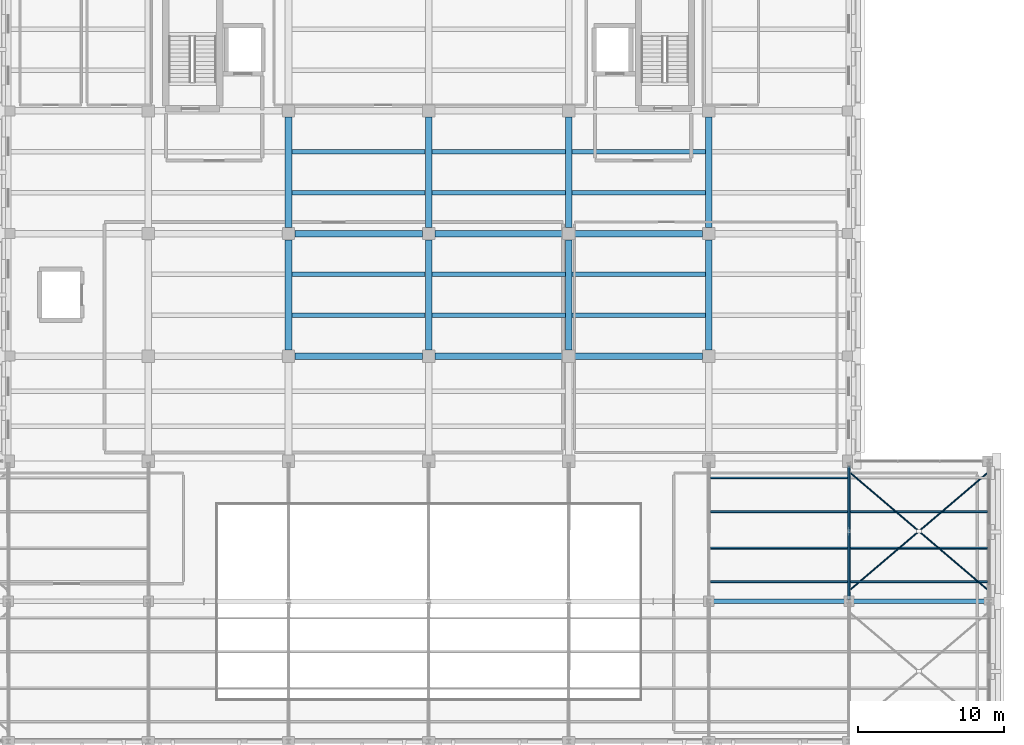
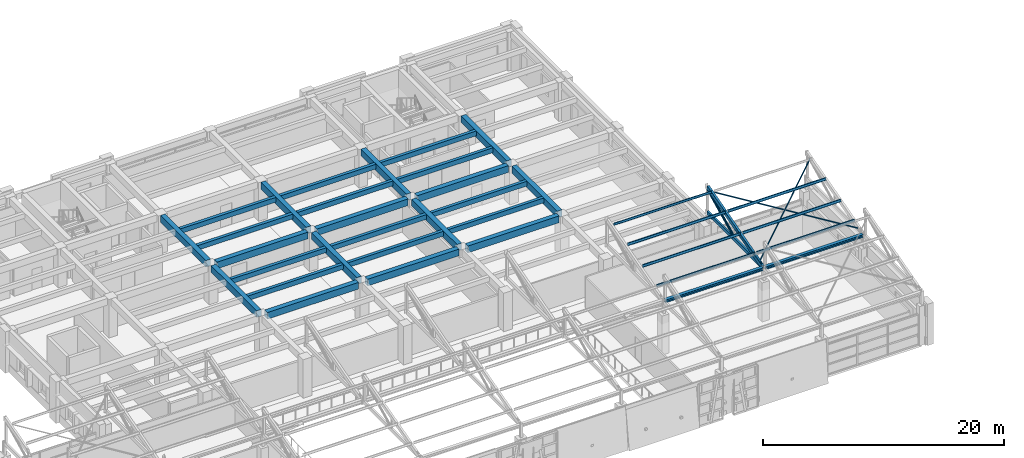
# One storey, part 24 of 58: 28 beams, 14 members.
"""IFC4 building model written with IfcOpenShell, lengths in metres."""

from ifc_helpers import new_model, si_unit, direction, frame, origin, origin_2d, place, context, subcontext, project, spatial, rectangle, hollow_rectangle, hollow_circle, i_section, extrude, material, material_profile, profile_set, type_object, element, save


model = new_model("IFC4")

# Units and contexts
model_context = context("Model", 3, precision=1e-05, world=origin(), true_north=direction((0.0, 1.0)))
body_context = subcontext(model_context, "Body", "Model", "MODEL_VIEW")
ifc_project = project(units=[si_unit("LENGTHUNIT", "METRE"), si_unit("AREAUNIT", "SQUARE_METRE"), si_unit("VOLUMEUNIT", "CUBIC_METRE"), si_unit("PLANEANGLEUNIT", "RADIAN"), si_unit("MASSUNIT", "GRAM", prefix="KILO")], contexts=[model_context])

# Site, building, storey
site_placement = place(None, origin())
site = spatial("IfcSite", under=ifc_project, at=site_placement, CompositionType="ELEMENT")
building_placement = place(site_placement, origin())
building = spatial("IfcBuilding", under=site, at=building_placement, Name="Bempovik Park Faculty of Sciences", CompositionType="ELEMENT")
storey_placement = place(building_placement, frame((0.0, 0.0, 18.300048828125)))
storey = spatial("IfcBuildingStorey", under=building, at=storey_placement, Name="L04", CompositionType="ELEMENT", Elevation=18.300048828125)

# Beams
ifc_material_1 = material(Name="Concrete C35/45", Category="concrete")
ifc_material_profile_1 = material_profile(ifc_material_1, rectangle(XDim=0.300048828125, YDim=0.47998046875, at=origin_2d()), Name="RC 300x480")
ifc_profile_set_1 = profile_set([ifc_material_profile_1], Name="Concrete C35/45")
beam_type_1 = type_object("IfcBeamType", Name="B-039 RC 300x480", PredefinedType="JOIST", material=ifc_profile_set_1)
for number, where, z_axis, x_axis, name in (
    (1, (79.430908203125, 97.0, 3.659912109375), (1.0, 0.0, 0.0), (0.0, 1.0, 0.0), "L04 Secondary Joist (79.2-88.8, y=97.00)"),
    (2, (79.430908203125, 99.800048828125, 3.659912109375), (1.0, 0.0, 0.0), (0.0, 1.0, 0.0), "L04 Secondary Joist (79.2-88.8, y=99.80)"),
    (3, (79.430908203125, 105.39990234375, 3.659912109375), (1.0, 0.0, 0.0), (0.0, 1.0, 0.0), "L04 Secondary Joist (79.2-88.8, y=105.40)"),
    (4, (79.430908203125, 108.199951171875, 3.659912109375), (1.0, 0.0, 0.0), (0.0, 1.0, 0.0), "L04 Secondary Joist (79.2-88.8, y=108.20)"),
):
    element("IfcBeam", number, at=place(storey_placement, frame(where, z_axis=z_axis, x_axis=x_axis)), inside=storey, type_object=beam_type_1, Name=name, PredefinedType="JOIST", context=body_context, shape_type="SweptSolid", body=[
        extrude(rectangle(XDim=0.300048828125, YDim=0.47998046875, at=origin_2d()), origin(), (0.0, 0.0, 1.0), 9.13818359375),
    ])
for number, where, z_axis, x_axis, name in (
    (5, (89.031005859375, 97.0, 3.659912109375), (1.0, 0.0, 0.0), (0.0, 1.0, 0.0), "L04 Secondary Joist (88.8-98.4, y=97.00)"),
    (6, (89.031005859375, 99.800048828125, 3.659912109375), (1.0, 0.0, 0.0), (0.0, 1.0, 0.0), "L04 Secondary Joist (88.8-98.4, y=99.80)"),
    (7, (89.031005859375, 105.39990234375, 3.659912109375), (1.0, 0.0, 0.0), (0.0, 1.0, 0.0), "L04 Secondary Joist (88.8-98.4, y=105.40)"),
    (8, (89.031005859375, 108.199951171875, 3.659912109375), (1.0, 0.0, 0.0), (0.0, 1.0, 0.0), "L04 Secondary Joist (88.8-98.4, y=108.20)"),
    (9, (98.631103515625, 97.0, 3.659912109375), (1.0, 0.0, 0.0), (0.0, 1.0, 0.0), "L04 Secondary Joist (98.4-108.0, y=97.00)"),
    (10, (98.631103515625, 99.800048828125, 3.659912109375), (1.0, 0.0, 0.0), (0.0, 1.0, 0.0), "L04 Secondary Joist (98.4-108.0, y=99.80)"),
    (11, (98.631103515625, 105.39990234375, 3.659912109375), (1.0, 0.0, 0.0), (0.0, 1.0, 0.0), "L04 Secondary Joist (98.4-108.0, y=105.40)"),
    (12, (98.631103515625, 108.199951171875, 3.659912109375), (1.0, 0.0, 0.0), (0.0, 1.0, 0.0), "L04 Secondary Joist (98.4-108.0, y=108.20)"),
):
    element("IfcBeam", number, at=place(storey_placement, frame(where, z_axis=z_axis, x_axis=x_axis)), inside=storey, type_object=beam_type_1, Name=name, PredefinedType="JOIST", context=body_context, shape_type="SweptSolid", body=[
        extrude(rectangle(XDim=0.300048828125, YDim=0.47998046875, at=origin_2d()), origin(), (0.0, 0.0, 1.0), 9.137939453125),
    ])
ifc_material_profile_2 = material_profile(ifc_material_1, rectangle(XDim=0.449951171875, YDim=0.679931640625, at=origin_2d()), Name="RC 450x680")
ifc_profile_set_2 = profile_set([ifc_material_profile_2], Name="Concrete C35/45")
beam_type_2 = type_object("IfcBeamType", Name="B-113 RC 450x680", PredefinedType="BEAM", material=ifc_profile_set_2)
beam_1_placement = place(storey_placement, frame((79.631103515625, 94.199951171875, 3.56005859375), z_axis=(1.0, 0.0, 0.0), x_axis=(0.0, 1.0, 0.0)))
element("IfcBeam", 13, at=beam_1_placement, inside=storey, type_object=beam_type_2, Name="L04 Beam X (79.2-88.8, y=94.2)", PredefinedType="BEAM", context=body_context, shape_type="SweptSolid", body=[
    extrude(rectangle(XDim=0.449951171875, YDim=0.679931640625, at=origin_2d()), origin(), (0.0, 0.0, 1.0), 8.73779296875),
])
for number, where, z_axis, x_axis, name in (
    (14, (89.23095703125, 94.199951171875, 3.56005859375), (1.0, 0.0, 0.0), (0.0, 1.0, 0.0), "L04 Beam X (88.8-98.4, y=94.2)"),
    (15, (98.8310546875, 94.199951171875, 3.56005859375), (1.0, 0.0, 0.0), (0.0, 1.0, 0.0), "L04 Beam X (98.4-108.0, y=94.2)"),
):
    element("IfcBeam", number, at=place(storey_placement, frame(where, z_axis=z_axis, x_axis=x_axis)), inside=storey, type_object=beam_type_2, Name=name, PredefinedType="BEAM", context=body_context, shape_type="SweptSolid", body=[
        extrude(rectangle(XDim=0.449951171875, YDim=0.679931640625, at=origin_2d()), origin(), (0.0, 0.0, 1.0), 8.738037109375),
    ])
beam_2_placement = place(storey_placement, frame((79.631103515625, 102.60009765625, 3.56005859375), z_axis=(1.0, 0.0, 0.0), x_axis=(0.0, 1.0, 0.0)))
element("IfcBeam", 16, at=beam_2_placement, inside=storey, type_object=beam_type_2, Name="L04 Beam X (79.2-88.8, y=102.6)", PredefinedType="BEAM", context=body_context, shape_type="SweptSolid", body=[
    extrude(rectangle(XDim=0.449951171875, YDim=0.679931640625, at=origin_2d()), origin(), (0.0, 0.0, 1.0), 8.73779296875),
])
for number, where, z_axis, x_axis, name in (
    (17, (89.23095703125, 102.60009765625, 3.56005859375), (1.0, 0.0, 0.0), (0.0, 1.0, 0.0), "L04 Beam X (88.8-98.4, y=102.6)"),
    (18, (98.8310546875, 102.60009765625, 3.56005859375), (1.0, 0.0, 0.0), (0.0, 1.0, 0.0), "L04 Beam X (98.4-108.0, y=102.6)"),
):
    element("IfcBeam", number, at=place(storey_placement, frame(where, z_axis=z_axis, x_axis=x_axis)), inside=storey, type_object=beam_type_2, Name=name, PredefinedType="BEAM", context=body_context, shape_type="SweptSolid", body=[
        extrude(rectangle(XDim=0.449951171875, YDim=0.679931640625, at=origin_2d()), origin(), (0.0, 0.0, 1.0), 8.738037109375),
    ])
beam_3_placement = place(storey_placement, frame((79.199951171875, 94.631103515625, 3.56005859375), z_axis=(0.0, 1.0, 0.0), x_axis=(-1.0, 0.0, 0.0)))
element("IfcBeam", 19, at=beam_3_placement, inside=storey, type_object=beam_type_2, Name="L04 Beam Y (x=79.2, 94.2-102.6)", PredefinedType="BEAM", context=body_context, shape_type="SweptSolid", body=[
    extrude(rectangle(XDim=0.449951171875, YDim=0.679931640625, at=origin_2d()), origin(), (0.0, 0.0, 1.0), 7.537841796875),
])
beam_4_placement = place(storey_placement, frame((79.199951171875, 103.031005859375, 3.56005859375), z_axis=(0.0, 1.0, 0.0), x_axis=(-1.0, 0.0, 0.0)))
element("IfcBeam", 20, at=beam_4_placement, inside=storey, type_object=beam_type_2, Name="L04 Beam Y (x=79.2, 102.6-111.0)", PredefinedType="BEAM", context=body_context, shape_type="SweptSolid", body=[
    extrude(rectangle(XDim=0.449951171875, YDim=0.679931640625, at=origin_2d()), origin(), (0.0, 0.0, 1.0), 7.5380859375),
])
beam_5_placement = place(storey_placement, frame((88.800048828125, 94.631103515625, 3.56005859375), z_axis=(0.0, 1.0, 0.0), x_axis=(-1.0, 0.0, 0.0)))
element("IfcBeam", 21, at=beam_5_placement, inside=storey, type_object=beam_type_2, Name="L04 Beam Y (x=88.8, 94.2-102.6)", PredefinedType="BEAM", context=body_context, shape_type="SweptSolid", body=[
    extrude(rectangle(XDim=0.449951171875, YDim=0.679931640625, at=origin_2d()), origin(), (0.0, 0.0, 1.0), 7.537841796875),
])
beam_6_placement = place(storey_placement, frame((88.800048828125, 103.031005859375, 3.56005859375), z_axis=(0.0, 1.0, 0.0), x_axis=(-1.0, 0.0, 0.0)))
element("IfcBeam", 22, at=beam_6_placement, inside=storey, type_object=beam_type_2, Name="L04 Beam Y (x=88.8, 102.6-111.0)", PredefinedType="BEAM", context=body_context, shape_type="SweptSolid", body=[
    extrude(rectangle(XDim=0.449951171875, YDim=0.679931640625, at=origin_2d()), origin(), (0.0, 0.0, 1.0), 7.5380859375),
])
beam_7_placement = place(storey_placement, frame((98.39990234375, 94.631103515625, 3.56005859375), z_axis=(0.0, 1.0, 0.0), x_axis=(-1.0, 0.0, 0.0)))
element("IfcBeam", 23, at=beam_7_placement, inside=storey, type_object=beam_type_2, Name="L04 Beam Y (x=98.4, 94.2-102.6)", PredefinedType="BEAM", context=body_context, shape_type="SweptSolid", body=[
    extrude(rectangle(XDim=0.449951171875, YDim=0.679931640625, at=origin_2d()), origin(), (0.0, 0.0, 1.0), 7.537841796875),
])
beam_8_placement = place(storey_placement, frame((98.39990234375, 103.031005859375, 3.56005859375), z_axis=(0.0, 1.0, 0.0), x_axis=(-1.0, 0.0, 0.0)))
element("IfcBeam", 24, at=beam_8_placement, inside=storey, type_object=beam_type_2, Name="L04 Beam Y (x=98.4, 102.6-111.0)", PredefinedType="BEAM", context=body_context, shape_type="SweptSolid", body=[
    extrude(rectangle(XDim=0.449951171875, YDim=0.679931640625, at=origin_2d()), origin(), (0.0, 0.0, 1.0), 7.5380859375),
])
beam_9_placement = place(storey_placement, frame((108.0, 94.631103515625, 3.56005859375), z_axis=(0.0, 1.0, 0.0), x_axis=(-1.0, 0.0, 0.0)))
element("IfcBeam", 25, at=beam_9_placement, inside=storey, type_object=beam_type_2, Name="L04 Beam Y (x=108.0, 94.2-102.6)", PredefinedType="BEAM", context=body_context, shape_type="SweptSolid", body=[
    extrude(rectangle(XDim=0.449951171875, YDim=0.679931640625, at=origin_2d()), origin(), (0.0, 0.0, 1.0), 7.537841796875),
])
beam_10_placement = place(storey_placement, frame((108.0, 103.031005859375, 3.56005859375), z_axis=(0.0, 1.0, 0.0), x_axis=(-1.0, 0.0, 0.0)))
element("IfcBeam", 26, at=beam_10_placement, inside=storey, type_object=beam_type_2, Name="L04 Beam Y (x=108.0, 102.6-111.0)", PredefinedType="BEAM", context=body_context, shape_type="SweptSolid", body=[
    extrude(rectangle(XDim=0.449951171875, YDim=0.679931640625, at=origin_2d()), origin(), (0.0, 0.0, 1.0), 7.5380859375),
])
ifc_material_2 = material(Name="Steel S355", Category="steel")
ifc_material_profile_3 = material_profile(ifc_material_2, i_section(OverallWidth=0.300048828125, OverallDepth=0.2900390625, WebThickness=0.008544921875, FlangeThickness=0.013916015625, at=origin_2d()), Name="HEA 300")
ifc_profile_set_3 = profile_set([ifc_material_profile_3], Name="Steel S355")
beam_type_3 = type_object("IfcBeamType", Name="B-131 HEA 300", PredefinedType="BEAM", material=ifc_profile_set_3)
for number, where, z_axis, x_axis, name in (
    (27, (108.1298828125, 77.39990234375, 5.179931640625), (1.0, 0.0, 0.0), (0.0, 1.0, 0.0), "Sawtooth Valley Tie Beam V2-B2 (108.0-117.6)"),
    (28, (117.72998046875, 77.39990234375, 5.179931640625), (1.0, 0.0, 0.0), (0.0, 1.0, 0.0), "Sawtooth Valley Tie Beam V2-B2 (117.6-127.2)"),
):
    element("IfcBeam", number, at=place(storey_placement, frame(where, z_axis=z_axis, x_axis=x_axis)), inside=storey, type_object=beam_type_3, Name=name, PredefinedType="BEAM", context=body_context, shape_type="SweptSolid", body=[
        extrude(i_section(OverallWidth=0.300048828125, OverallDepth=0.2900390625, WebThickness=0.008544921875, FlangeThickness=0.013916015625, at=origin_2d()), origin(), (0.0, 0.0, 1.0), 9.340087890625),
    ])

# Members
ifc_material_profile_4 = material_profile(ifc_material_2, hollow_rectangle(XDim=0.175048828125, YDim=0.35009765625, WallThickness=0.012451171875, at=origin_2d()), Name="RHS 350x175x12.5")
ifc_profile_set_4 = profile_set([ifc_material_profile_4], Name="Steel S355")
member_type_1 = type_object("IfcMemberType", Name="M-15 RHS 350x175x12.5", PredefinedType="CHORD", material=ifc_profile_set_4)
member_1_placement = place(storey_placement, frame((117.60009765625, 77.535888671875, 5.179931640625), z_axis=(0.0, 1.0, 0.0), x_axis=(-1.0, 0.0, 0.0)))
element("IfcMember", 29, at=member_1_placement, inside=storey, type_object=member_type_1, Name="Sawtooth Bottom Chord V2-B2 (117.6)", PredefinedType="CHORD", context=body_context, shape_type="SweptSolid", body=[
    extrude(hollow_rectangle(XDim=0.175048828125, YDim=0.35009765625, WallThickness=0.012451171875, at=origin_2d()), origin(), (0.0, 0.0, 1.0), 9.108154296875),
])
ifc_material_profile_5 = material_profile(ifc_material_2, i_section(OverallWidth=0.110107421875, OverallDepth=0.219970703125, WebThickness=0.005859375, FlangeThickness=0.00927734375, at=origin_2d()), Name="IPE 220")
ifc_profile_set_5 = profile_set([ifc_material_profile_5], Name="Steel S355")
member_type_2 = type_object("IfcMemberType", Name="M-18 IPE 220", PredefinedType="PURLIN", material=ifc_profile_set_5)
for number, where, z_axis, x_axis, name in (
    (30, (108.10595703125, 78.743896484375, 5.87744140625), (1.0, 0.0, 0.0), (0.0, 0.965925826289, -0.258819045103), "Sawtooth Roof Purlin V2-B2 (108.0-117.6) #1"),
    (31, (117.7060546875, 78.743896484375, 5.87744140625), (1.0, 0.0, 0.0), (0.0, 0.965925826289, -0.258819045103), "Sawtooth Roof Purlin V2-B2 (117.6-127.2) #1"),
):
    element("IfcMember", number, at=place(storey_placement, frame(where, z_axis=z_axis, x_axis=x_axis)), inside=storey, type_object=member_type_2, Name=name, PredefinedType="PURLIN", context=body_context, shape_type="SweptSolid", body=[
        extrude(i_section(OverallWidth=0.110107421875, OverallDepth=0.219970703125, WebThickness=0.005859375, FlangeThickness=0.00927734375, at=origin_2d()), origin(), (0.0, 0.0, 1.0), 9.387939453125),
    ])
ifc_material_profile_6 = material_profile(ifc_material_2, hollow_circle(Radius=0.109619140625, WallThickness=0.010009765625, at=origin_2d()), Name="CHS 219.1x10")
ifc_profile_set_6 = profile_set([ifc_material_profile_6], Name="Steel S355")
member_type_3 = type_object("IfcMemberType", Name="M-22 CHS 219.1x10", PredefinedType="BRACE", material=ifc_profile_set_6)
member_2_placement = place(storey_placement, frame((117.60009765625, 82.304931640625, 5.36083984375), z_axis=(0.0, 0.896782958268, 0.442470706105), x_axis=(-1.0, 0.0, 0.0)))
element("IfcMember", 32, at=member_2_placement, inside=storey, type_object=member_type_3, Name="Sawtooth Web Diagonal 2 V2-B2 (117.6)", PredefinedType="BRACE", context=body_context, shape_type="SweptSolid", body=[
    extrude(hollow_circle(Radius=0.109619140625, WallThickness=0.010009765625, at=origin_2d()), origin(), (0.0, 0.0, 1.0), 4.844970703125),
])
ifc_material_profile_7 = material_profile(ifc_material_2, i_section(OverallWidth=0.10009765625, OverallDepth=0.199951171875, WebThickness=0.005615234375, FlangeThickness=0.008544921875, at=origin_2d()), Name="IPE 200")
ifc_profile_set_7 = profile_set([ifc_material_profile_7], Name="Steel S355")
member_type_4 = type_object("IfcMemberType", Name="M-48 IPE 200", PredefinedType="PURLIN", material=ifc_profile_set_7)
member_3_placement = place(storey_placement, frame((108.10595703125, 85.847900390625, 7.790771484375), z_axis=(1.0, 0.0, 0.0), x_axis=(0.0, 0.965925826289, -0.258819045103)))
element("IfcMember", 33, at=member_3_placement, inside=storey, type_object=member_type_4, Name="Sawtooth Roof Purlin V2-B2 (108.0-117.6) #4", PredefinedType="PURLIN", context=body_context, shape_type="SweptSolid", body=[
    extrude(i_section(OverallWidth=0.10009765625, OverallDepth=0.199951171875, WebThickness=0.005615234375, FlangeThickness=0.008544921875, at=origin_2d()), origin(), (0.0, 0.0, 1.0), 9.387939453125),
])
ifc_material_profile_8 = material_profile(ifc_material_2, hollow_rectangle(XDim=0.199951171875, YDim=0.39990234375, WallThickness=0.01611328125, at=origin_2d()), Name="RHS 400x200x16")
ifc_profile_set_8 = profile_set([ifc_material_profile_8], Name="Steel S355")
member_type_5 = type_object("IfcMemberType", Name="M-53 RHS 400x200x16", PredefinedType="CHORD", material=ifc_profile_set_8)
member_4_placement = place(storey_placement, frame((117.60009765625, 77.535888671875, 5.182373046875), z_axis=(0.0, 0.962358551533, 0.271783035327), x_axis=(-1.0, 0.0, 0.0)))
element("IfcMember", 34, at=member_4_placement, inside=storey, type_object=member_type_5, Name="Sawtooth Top Rafter Chord V2-B2 (117.6)", PredefinedType="CHORD", context=body_context, shape_type="SweptSolid", body=[
    extrude(hollow_rectangle(XDim=0.199951171875, YDim=0.39990234375, WallThickness=0.01611328125, at=origin_2d()), origin(), (0.0, 0.0, 1.0), 9.46435546875),
])
ifc_material_profile_9 = material_profile(ifc_material_2, hollow_circle(Radius=0.05712890625, WallThickness=0.00634765625, at=origin_2d()), Name="CHS 114.3x6.3")
ifc_profile_set_9 = profile_set([ifc_material_profile_9], Name="Steel S355")
member_type_6 = type_object("IfcMemberType", Name="M-72 CHS 114.3x6.3", PredefinedType="BRACE", material=ifc_profile_set_9)
member_5_placement = place(storey_placement, frame((117.699951171875, 78.199951171875, 5.396728515625), z_axis=(0.750314731652, 0.638555778167, 0.17109740394), x_axis=(-0.648112772192, 0.761544374624, 0.0)))
element("IfcMember", 35, at=member_5_placement, inside=storey, type_object=member_type_6, Name="Sawtooth Continuous Roof X-Brace V2-B2 (117.6-127.2)", PredefinedType="BRACE", context=body_context, shape_type="SweptSolid", body=[
    extrude(hollow_circle(Radius=0.05712890625, WallThickness=0.00634765625, at=origin_2d()), origin(), (0.0, 0.0, 1.0), 12.5283203125),
])
member_6_placement = place(storey_placement, frame((117.699951171875, 86.199951171875, 7.540283203125), z_axis=(0.750327438995, -0.638539524895, -0.171102336154), x_axis=(0.648096839088, 0.761557934214, 0.0)))
element("IfcMember", 36, at=member_6_placement, inside=storey, type_object=member_type_6, Name="Sawtooth Split X-Brace Half A V2-B2 (117.6-127.2)", PredefinedType="BRACE", context=body_context, shape_type="SweptSolid", body=[
    extrude(hollow_circle(Radius=0.05712890625, WallThickness=0.00634765625, at=origin_2d()), origin(), (0.0, 0.0, 1.0), 6.174072265625),
])
member_7_placement = place(storey_placement, frame((122.467529296875, 82.142578125, 6.453125), z_axis=(0.750308493557, -0.638562944003, -0.171098015896), x_axis=(0.648120115182, 0.761538125307, 0.0)))
element("IfcMember", 37, at=member_7_placement, inside=storey, type_object=member_type_6, Name="Sawtooth Split X-Brace Half B V2-B2 (117.6-127.2)", PredefinedType="BRACE", context=body_context, shape_type="SweptSolid", body=[
    extrude(hollow_circle(Radius=0.05712890625, WallThickness=0.00634765625, at=origin_2d()), origin(), (0.0, 0.0, 1.0), 6.17431640625),
])
ifc_material_profile_10 = material_profile(ifc_material_2, hollow_circle(Radius=0.096923828125, WallThickness=0.008056640625, at=origin_2d()), Name="CHS 193.7x8")
ifc_profile_set_10 = profile_set([ifc_material_profile_10], Name="Steel S355")
member_type_7 = type_object("IfcMemberType", Name="M-74 CHS 193.7x8", PredefinedType="BRACE", material=ifc_profile_set_10)
member_8_placement = place(storey_placement, frame((117.60009765625, 77.7099609375, 5.36083984375), z_axis=(0.0, 0.980118341504, 0.198413801554), x_axis=(-1.0, 0.0, 0.0)))
element("IfcMember", 38, at=member_8_placement, inside=storey, type_object=member_type_7, Name="Sawtooth Web Diagonal 1 V2-B2 (117.6)", PredefinedType="BRACE", context=body_context, shape_type="SweptSolid", body=[
    extrude(hollow_circle(Radius=0.096923828125, WallThickness=0.008056640625, at=origin_2d()), origin(), (0.0, 0.0, 1.0), 4.473876953125),
])
ifc_material_profile_11 = material_profile(ifc_material_2, i_section(OverallWidth=0.1201171875, OverallDepth=0.239990234375, WebThickness=0.006103515625, FlangeThickness=0.009765625, at=origin_2d()), Name="IPE 240")
ifc_profile_set_11 = profile_set([ifc_material_profile_11], Name="Steel S355")
member_type_8 = type_object("IfcMemberType", Name="M-86 IPE 240", PredefinedType="PURLIN", material=ifc_profile_set_11)
for number, where, z_axis, x_axis, name in (
    (39, (108.10595703125, 81.048095703125, 6.48486328125), (1.0, 0.0, 0.0), (0.0, 0.965925826289, -0.258819045103), "Sawtooth Roof Purlin V2-B2 (108.0-117.6) #2"),
    (40, (108.10595703125, 83.5439453125, 7.153564453125), (1.0, 0.0, 0.0), (0.0, 0.965925826289, -0.258819045103), "Sawtooth Roof Purlin V2-B2 (108.0-117.6) #3"),
    (41, (117.7060546875, 81.048095703125, 6.48486328125), (1.0, 0.0, 0.0), (0.0, 0.965925826289, -0.258819045103), "Sawtooth Roof Purlin V2-B2 (117.6-127.2) #2"),
    (42, (117.7060546875, 83.5439453125, 7.153564453125), (1.0, 0.0, 0.0), (0.0, 0.965925826289, -0.258819045103), "Sawtooth Roof Purlin V2-B2 (117.6-127.2) #3"),
):
    element("IfcMember", number, at=place(storey_placement, frame(where, z_axis=z_axis, x_axis=x_axis)), inside=storey, type_object=member_type_8, Name=name, PredefinedType="PURLIN", context=body_context, shape_type="SweptSolid", body=[
        extrude(i_section(OverallWidth=0.1201171875, OverallDepth=0.239990234375, WebThickness=0.006103515625, FlangeThickness=0.009765625, at=origin_2d()), origin(), (0.0, 0.0, 1.0), 9.387939453125),
    ])

save(model, "model.ifc")
